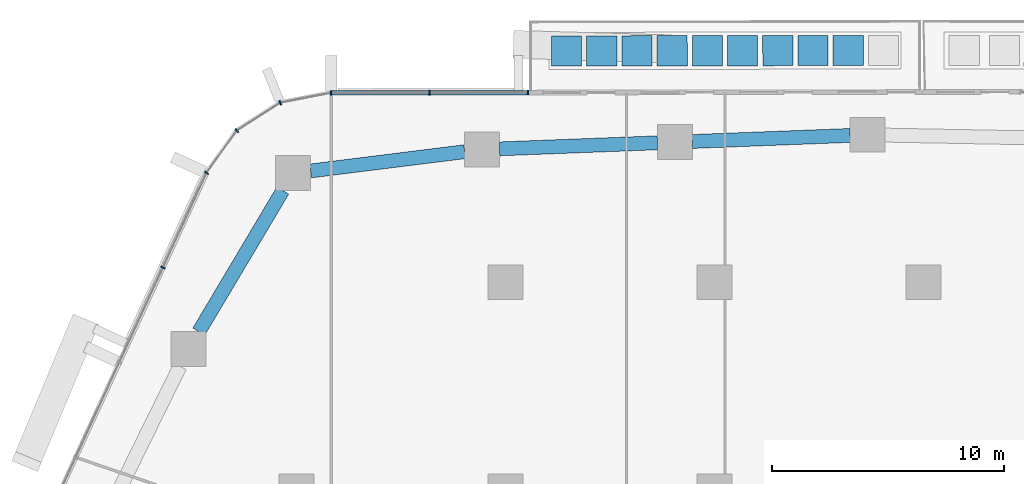
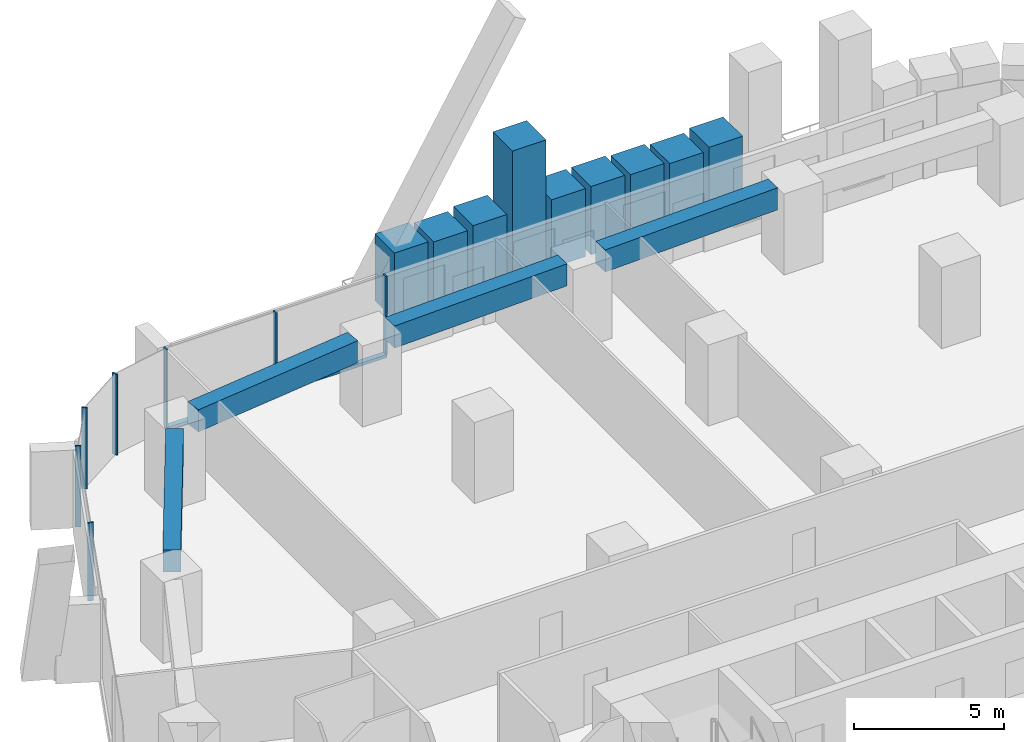
# One storey, part 9 of 26: 17 members, 4 beams, 3 elements without a shape of their own.
"""IFC4 building model written with IfcOpenShell, lengths in metres."""

from ifc_helpers import new_model, si_unit, direction, frame, origin, origin_2d, place, context, subcontext, project, spatial, rectangle, extrude, material, layer, layer_set, material_profile, profile_set, type_object, element, aggregate, save


model = new_model("IFC4")

# Units and contexts
model_context = context("Model", 3, precision=1e-05, world=origin(), true_north=direction((0.0, 1.0)))
body_context = subcontext(model_context, "Body", "Model", "MODEL_VIEW")
ifc_project = project(units=[si_unit("LENGTHUNIT", "METRE"), si_unit("AREAUNIT", "SQUARE_METRE"), si_unit("VOLUMEUNIT", "CUBIC_METRE"), si_unit("PLANEANGLEUNIT", "RADIAN"), si_unit("MASSUNIT", "GRAM", prefix="KILO")], contexts=[model_context])

# Site, building, storey
site_placement = place(None, origin())
site = spatial("IfcSite", under=ifc_project, at=site_placement, CompositionType="ELEMENT")
building_placement = place(site_placement, origin())
building = spatial("IfcBuilding", under=site, at=building_placement, Name="Dongbaek Canopy Tower", CompositionType="ELEMENT")
storey_placement = place(building_placement, frame((0.0, 0.0, 73.60009765625)))
storey = spatial("IfcBuildingStorey", under=building, at=storey_placement, Name="L14", CompositionType="ELEMENT", Elevation=73.60009765625)

# Curtain wall, members
ifc_material_1 = material(Name="Aluminium 6063-T6 pale anodised", Category="aluminium")
ifc_layer = layer(ifc_material_1, 0.199951171875)
ifc_layer_set = layer_set([ifc_layer], Name="CW-1 unitised tower curtain wall")
curtain_wall_type = type_object("IfcCurtainWallType", Name="CW-1 unitised tower curtain wall", PredefinedType="NOTDEFINED", material=ifc_layer_set)
curtain_wall_1_placement = place(storey_placement, origin())
curtain_wall_1 = element("IfcCurtainWall", 1, at=curtain_wall_1_placement, inside=storey, type_object=curtain_wall_type, Name="CW-1 curtain wall F1.1", PredefinedType="NOTDEFINED")
ifc_material_2 = material(Name="Aluminium 6063-T6 pale anodised", Category="aluminium")
ifc_material_profile_1 = material_profile(ifc_material_2, rectangle(XDim=0.199951171875, YDim=0.06005859375, at=origin_2d()), Name="CW-1 mullion 60 x 200")
ifc_profile_set_1 = profile_set([ifc_material_profile_1], Name="Aluminium 6063-T6 pale anodised")
member_type_1 = type_object("IfcMemberType", Name="CW-1 mullion 60 x 200", PredefinedType="MULLION", material=ifc_profile_set_1)
member_1_placement = place(storey_placement, frame((-8.030029296875, 35.165283203125, 0.119873046875), z_axis=(0.0, 0.0, 1.0), x_axis=(-0.00143427852, 0.999998971422, 0.0)))
member_1 = element("IfcMember", 2, at=member_1_placement, type_object=member_type_1, Name="CW-1 mullion F1.1.1", PredefinedType="MULLION", context=body_context, shape_type="SweptSolid", body=[
    extrude(rectangle(XDim=0.199951171875, YDim=0.06005859375, at=origin_2d()), origin(), (0.0, 0.0, 1.0), 3.179931640625),
])
member_2_placement = place(storey_placement, frame((-12.271240234375, 35.1591796875, 0.119873046875), z_axis=(0.0, 0.0, 1.0), x_axis=(-0.00143427852, 0.999998971422, 0.0)))
member_2 = element("IfcMember", 3, at=member_2_placement, type_object=member_type_1, Name="CW-1 mullion F1.1.2", PredefinedType="MULLION", context=body_context, shape_type="SweptSolid", body=[
    extrude(rectangle(XDim=0.199951171875, YDim=0.06005859375, at=origin_2d()), origin(), (0.0, 0.0, 1.0), 3.179931640625),
])
member_3_placement = place(storey_placement, frame((-16.5029296875, 35.153076171875, 0.119873046875), z_axis=(0.0, 0.0, 1.0), x_axis=(-0.00143427852, 0.999998971422, 0.0)))
member_3 = element("IfcMember", 4, at=member_3_placement, type_object=member_type_1, Name="CW-1 mullion F1.1.3", PredefinedType="MULLION", context=body_context, shape_type="SweptSolid", body=[
    extrude(rectangle(XDim=0.199951171875, YDim=0.06005859375, at=origin_2d()), origin(), (0.0, 0.0, 1.0), 3.179931640625),
])

curtain_wall_2_placement = place(storey_placement, origin())
curtain_wall_2 = element("IfcCurtainWall", 5, at=curtain_wall_2_placement, inside=storey, type_object=curtain_wall_type, Name="CW-1 curtain wall K2.1", PredefinedType="NOTDEFINED")
member_4_placement = place(storey_placement, frame((-18.696044921875, 34.728759765625, 0.0), z_axis=(0.0, 0.0, 1.0), x_axis=(-0.371661770672, 0.928368207244, 0.0)))
member_4 = element("IfcMember", 6, at=member_4_placement, type_object=member_type_1, Name="CW-1 mullion K2.1.2", PredefinedType="MULLION", context=body_context, shape_type="SweptSolid", body=[
    extrude(rectangle(XDim=0.199951171875, YDim=0.06005859375, at=origin_2d()), origin(), (0.0, 0.0, 1.0), 3.2998046875),
])
member_5_placement = place(storey_placement, frame((-20.56787109375, 33.52783203125, 0.0), z_axis=(0.0, 0.0, 1.0), x_axis=(-0.689039196048, 0.724724075983, 0.0)))
member_5 = element("IfcMember", 7, at=member_5_placement, type_object=member_type_1, Name="CW-1 mullion K2.1.3", PredefinedType="MULLION", context=body_context, shape_type="SweptSolid", body=[
    extrude(rectangle(XDim=0.199951171875, YDim=0.06005859375, at=origin_2d()), origin(), (0.0, 0.0, 1.0), 3.2998046875),
])
member_6_placement = place(storey_placement, frame((-21.86767578125, 31.7109375, 0.0), z_axis=(0.0, 0.0, 1.0), x_axis=(-0.813325049463, 0.581809559836, 0.0)))
member_6 = element("IfcMember", 8, at=member_6_placement, type_object=member_type_1, Name="CW-1 mullion K2.1.4", PredefinedType="MULLION", context=body_context, shape_type="SweptSolid", body=[
    extrude(rectangle(XDim=0.199951171875, YDim=0.06005859375, at=origin_2d()), origin(), (0.0, 0.0, 1.0), 3.2998046875),
])
aggregate(curtain_wall_2, [member_4, member_5, member_6])

# Curtain wall, member
curtain_wall_3_placement = place(storey_placement, origin())
curtain_wall_3 = element("IfcCurtainWall", 9, at=curtain_wall_3_placement, inside=storey, type_object=curtain_wall_type, Name="CW-1 curtain wall F2.1", PredefinedType="NOTDEFINED")
member_7_placement = place(storey_placement, frame((-23.743408203125, 27.634765625, 0.119873046875), z_axis=(0.0, 0.0, 1.0), x_axis=(-0.908435687115, 0.418024643264, 0.0)))
member_7 = element("IfcMember", 10, at=member_7_placement, type_object=member_type_1, Name="CW-1 mullion F2.1.2", PredefinedType="MULLION", context=body_context, shape_type="SweptSolid", body=[
    extrude(rectangle(XDim=0.199951171875, YDim=0.06005859375, at=origin_2d()), origin(), (0.0, 0.0, 1.0), 3.179931640625),
])
aggregate(curtain_wall_3, [member_7])

# Member
ifc_material_3 = material(Name="Aluminium 6063-T6 pale anodised", Category="aluminium")
ifc_material_profile_2 = material_profile(ifc_material_3, rectangle(XDim=0.199951171875, YDim=0.1201171875, at=origin_2d()), Name="CW-1 transom 120 x 200")
ifc_profile_set_2 = profile_set([ifc_material_profile_2], Name="Aluminium 6063-T6 pale anodised")
member_type_2 = type_object("IfcMemberType", Name="CW-1 transom 120 x 200", PredefinedType="USERDEFINED", material=ifc_profile_set_2)
member_8_placement = place(storey_placement, frame((-8.030029296875, 35.165283203125, 0.059814453125), z_axis=(-0.999998962172, -0.001440713099, 0.0), x_axis=(0.001440713099, -0.999998962172, 0.0)))
member_8 = element("IfcMember", 11, at=member_8_placement, type_object=member_type_2, Name="CW-1 transom F1.1.1", ObjectType="TRANSOM", PredefinedType="USERDEFINED", context=body_context, shape_type="SweptSolid", body=[
    extrude(rectangle(XDim=0.199951171875, YDim=0.1201171875, at=origin_2d()), origin(), (0.0, 0.0, 1.0), 8.472900390625),
])

aggregate(curtain_wall_1, [member_1, member_2, member_3, member_8])

# Beams
ifc_material_4 = material(Name="Concrete C80", Category="concrete")
ifc_material_profile_3 = material_profile(ifc_material_4, rectangle(XDim=0.60009765625, YDim=0.89990234375, at=origin_2d()), Name="RC EDGE BEAM 600x900 C80")
ifc_profile_set_3 = profile_set([ifc_material_profile_3], Name="Concrete C80")
beam_type = type_object("IfcBeamType", Name="RC EDGE BEAM 600x900 C80", PredefinedType="BEAM", material=ifc_profile_set_3)
beam_1_placement = place(storey_placement, frame((-22.201416015625, 24.875, 2.849853515625), z_axis=(0.511536684445, 0.859261438951, 0.0), x_axis=(-0.859261438951, 0.511536684445, 0.0)))
element("IfcBeam", 12, at=beam_1_placement, inside=storey, type_object=beam_type, Name="EDGEBEAM:L14:12", PredefinedType="BEAM", context=body_context, shape_type="SweptSolid", body=[
    extrude(rectangle(XDim=0.60009765625, YDim=0.89990234375, at=origin_2d()), origin(), (0.0, 0.0, 1.0), 7.06884765625),
])
beam_2_placement = place(storey_placement, frame((-17.388916015625, 31.79248046875, 2.849853515625), z_axis=(0.992300337098, 0.123854919137, 0.0), x_axis=(-0.123854919137, 0.992300337098, 0.0)))
element("IfcBeam", 13, at=beam_2_placement, inside=storey, type_object=beam_type, Name="EDGEBEAM:L14:13", PredefinedType="BEAM", context=body_context, shape_type="SweptSolid", body=[
    extrude(rectangle(XDim=0.60009765625, YDim=0.89990234375, at=origin_2d()), origin(), (0.0, 0.0, 1.0), 6.684326171875),
])
beam_3_placement = place(storey_placement, frame((-9.256103515625, 32.74267578125, 2.849853515625), z_axis=(0.999265250645, 0.038326999019, 0.0), x_axis=(-0.038326999019, 0.999265250645, 0.0)))
element("IfcBeam", 14, at=beam_3_placement, inside=storey, type_object=beam_type, Name="EDGEBEAM:L14:14", PredefinedType="BEAM", context=body_context, shape_type="SweptSolid", body=[
    extrude(rectangle(XDim=0.60009765625, YDim=0.89990234375, at=origin_2d()), origin(), (0.0, 0.0, 1.0), 6.802978515625),
])
beam_4_placement = place(storey_placement, frame((-0.9580078125, 33.060791015625, 2.849853515625), z_axis=(0.99927189778, 0.038153300073, 0.0), x_axis=(-0.038153300073, 0.99927189778, 0.0)))
element("IfcBeam", 15, at=beam_4_placement, inside=storey, type_object=beam_type, Name="EDGEBEAM:L14:15", PredefinedType="BEAM", context=body_context, shape_type="SweptSolid", body=[
    extrude(rectangle(XDim=0.60009765625, YDim=0.89990234375, at=origin_2d()), origin(), (0.0, 0.0, 1.0), 6.802001953125),
])

# Members
ifc_material_5 = material(Name="Concrete C40/50 planter mass with planting", Category="concrete")
ifc_material_profile_4 = material_profile(ifc_material_5, rectangle(XDim=1.300048828125, YDim=1.300048828125, at=origin_2d()), Name="Terrace PLANTER shrub mass 1300 x 1300")
ifc_profile_set_4 = profile_set([ifc_material_profile_4], Name="Concrete C40/50 planter mass with planting")
member_type_3 = type_object("IfcMemberType", Name="Terrace PLANTER shrub mass 1300 x 1300", PredefinedType="USERDEFINED", material=ifc_profile_set_4)
member_9_placement = place(storey_placement, frame((5.757080078125, 36.97509765625, 0.419921875), z_axis=(0.0, 0.0, 1.0), x_axis=(-0.00143427852, 0.999998971422, 0.0)))
element("IfcMember", 16, at=member_9_placement, inside=storey, type_object=member_type_3, Name="Planter shrubs L14 2.2", ObjectType="PLANTER", PredefinedType="USERDEFINED", context=body_context, shape_type="SweptSolid", body=[
    extrude(rectangle(XDim=1.300048828125, YDim=1.300048828125, at=origin_2d()), origin(), (0.0, 0.0, 1.0), 2.780029296875),
])
member_10_placement = place(storey_placement, frame((4.24072265625, 36.972900390625, 0.419921875), z_axis=(0.0, 0.0, 1.0), x_axis=(-0.00143427852, 0.999998971422, 0.0)))
element("IfcMember", 17, at=member_10_placement, inside=storey, type_object=member_type_3, Name="Planter shrubs L14 2.3", ObjectType="PLANTER", PredefinedType="USERDEFINED", context=body_context, shape_type="SweptSolid", body=[
    extrude(rectangle(XDim=1.300048828125, YDim=1.300048828125, at=origin_2d()), origin(), (0.0, 0.0, 1.0), 2.64990234375),
])
member_11_placement = place(storey_placement, frame((2.72412109375, 36.970703125, 0.419921875), z_axis=(0.0, 0.0, 1.0), x_axis=(-0.00143427852, 0.999998971422, 0.0)))
element("IfcMember", 18, at=member_11_placement, inside=storey, type_object=member_type_3, Name="Planter shrubs L14 2.4", ObjectType="PLANTER", PredefinedType="USERDEFINED", context=body_context, shape_type="SweptSolid", body=[
    extrude(rectangle(XDim=1.300048828125, YDim=1.300048828125, at=origin_2d()), origin(), (0.0, 0.0, 1.0), 2.72998046875),
])
member_12_placement = place(storey_placement, frame((1.207763671875, 36.968505859375, 0.419921875), z_axis=(0.0, 0.0, 1.0), x_axis=(-0.00143427852, 0.999998971422, 0.0)))
element("IfcMember", 19, at=member_12_placement, inside=storey, type_object=member_type_3, Name="Planter shrubs L14 2.5", ObjectType="PLANTER", PredefinedType="USERDEFINED", context=body_context, shape_type="SweptSolid", body=[
    extrude(rectangle(XDim=1.300048828125, YDim=1.300048828125, at=origin_2d()), origin(), (0.0, 0.0, 1.0), 2.780029296875),
])
member_13_placement = place(storey_placement, frame((-0.30859375, 36.96630859375, 0.419921875), z_axis=(0.0, 0.0, 1.0), x_axis=(-0.00143427852, 0.999998971422, 0.0)))
element("IfcMember", 20, at=member_13_placement, inside=storey, type_object=member_type_3, Name="Planter shrubs L14 2.6", ObjectType="PLANTER", PredefinedType="USERDEFINED", context=body_context, shape_type="SweptSolid", body=[
    extrude(rectangle(XDim=1.300048828125, YDim=1.300048828125, at=origin_2d()), origin(), (0.0, 0.0, 1.0), 2.77001953125),
])
member_14_placement = place(storey_placement, frame((-1.8251953125, 36.96435546875, 0.419921875), z_axis=(0.0, 0.0, 1.0), x_axis=(-0.00143427852, 0.999998971422, 0.0)))
element("IfcMember", 21, at=member_14_placement, inside=storey, type_object=member_type_3, Name="Planter tree L14 2.7", ObjectType="PLANTER", PredefinedType="USERDEFINED", context=body_context, shape_type="SweptSolid", body=[
    extrude(rectangle(XDim=1.300048828125, YDim=1.300048828125, at=origin_2d()), origin(), (0.0, 0.0, 1.0), 5.2900390625),
])
member_15_placement = place(storey_placement, frame((-3.341552734375, 36.962158203125, 0.419921875), z_axis=(0.0, 0.0, 1.0), x_axis=(-0.00143427852, 0.999998971422, 0.0)))
element("IfcMember", 22, at=member_15_placement, inside=storey, type_object=member_type_3, Name="Planter shrubs L14 2.8", ObjectType="PLANTER", PredefinedType="USERDEFINED", context=body_context, shape_type="SweptSolid", body=[
    extrude(rectangle(XDim=1.300048828125, YDim=1.300048828125, at=origin_2d()), origin(), (0.0, 0.0, 1.0), 2.780029296875),
])
member_16_placement = place(storey_placement, frame((-4.85791015625, 36.9599609375, 0.419921875), z_axis=(0.0, 0.0, 1.0), x_axis=(-0.00143427852, 0.999998971422, 0.0)))
element("IfcMember", 23, at=member_16_placement, inside=storey, type_object=member_type_3, Name="Planter shrubs L14 2.9", ObjectType="PLANTER", PredefinedType="USERDEFINED", context=body_context, shape_type="SweptSolid", body=[
    extrude(rectangle(XDim=1.300048828125, YDim=1.300048828125, at=origin_2d()), origin(), (0.0, 0.0, 1.0), 2.64990234375),
])
member_17_placement = place(storey_placement, frame((-6.37451171875, 36.957763671875, 0.419921875), z_axis=(0.0, 0.0, 1.0), x_axis=(-0.00143427852, 0.999998971422, 0.0)))
element("IfcMember", 24, at=member_17_placement, inside=storey, type_object=member_type_3, Name="Planter shrubs L14 2.10", ObjectType="PLANTER", PredefinedType="USERDEFINED", context=body_context, shape_type="SweptSolid", body=[
    extrude(rectangle(XDim=1.300048828125, YDim=1.300048828125, at=origin_2d()), origin(), (0.0, 0.0, 1.0), 2.72998046875),
])

save(model, "model.ifc")
